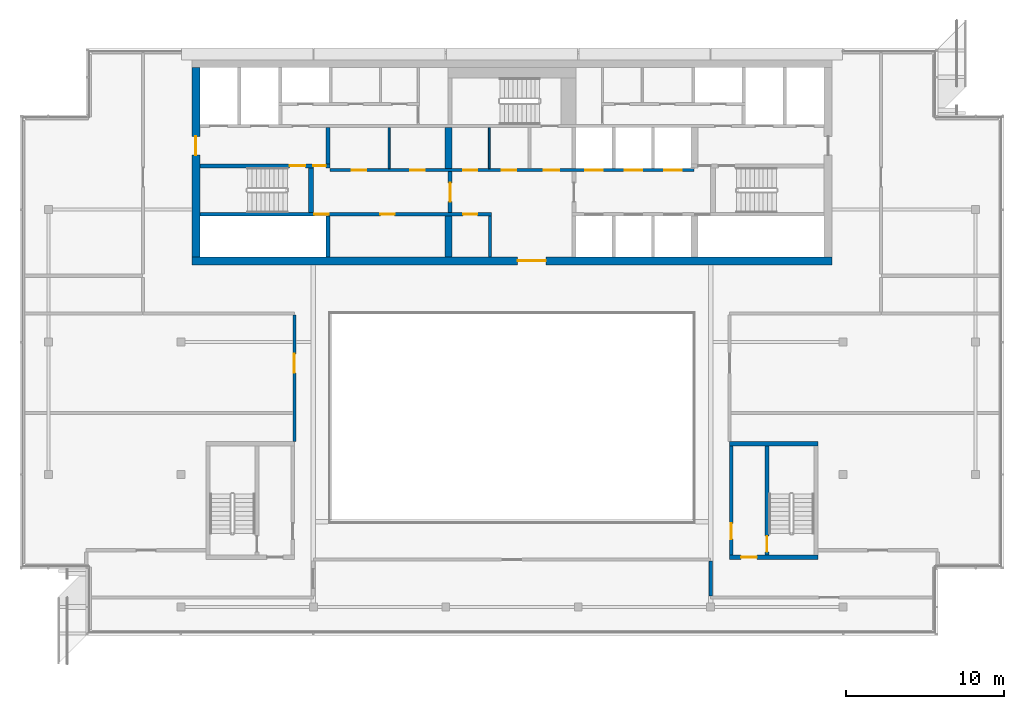
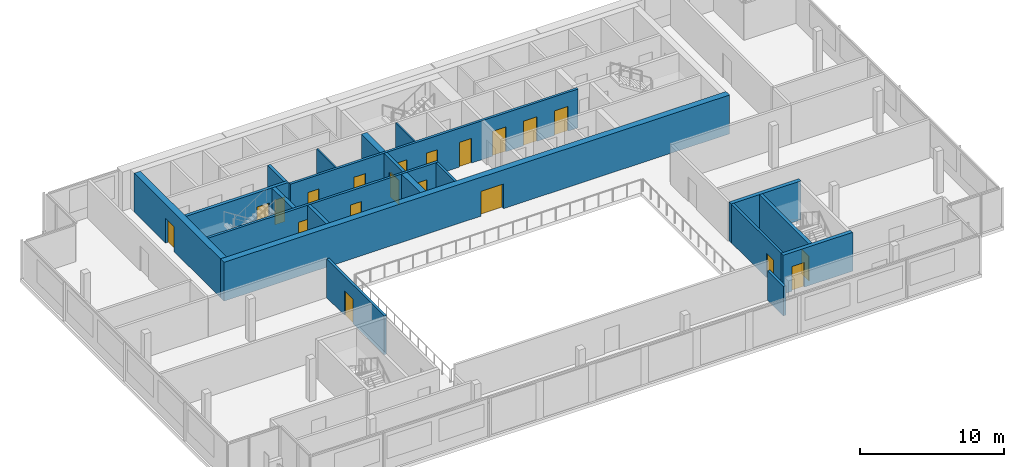
# One storey, part 12 of 19: 20 doors, 20 walls, 20 openings.
"""IFC4 building model written with IfcOpenShell, lengths in metres."""

from ifc_helpers import new_model, si_unit, direction, frame, frame_2d, origin, place, context, subcontext, project, spatial, rectangle, extrude, material, layer, layer_set, type_object, element, fill, save


model = new_model("IFC4")

# Units and contexts
model_context = context("Model", 3, precision=1e-05, world=origin(), true_north=direction((0.0, 1.0)))
body_context = subcontext(model_context, "Body", "Model", "MODEL_VIEW")
ifc_project = project(units=[si_unit("LENGTHUNIT", "METRE"), si_unit("AREAUNIT", "SQUARE_METRE"), si_unit("VOLUMEUNIT", "CUBIC_METRE"), si_unit("PLANEANGLEUNIT", "RADIAN"), si_unit("MASSUNIT", "GRAM", prefix="KILO")], contexts=[model_context])

# Site, building, storey
site_placement = place(None, origin())
site = spatial("IfcSite", under=ifc_project, at=site_placement, CompositionType="ELEMENT")
building_placement = place(site_placement, origin())
building = spatial("IfcBuilding", under=site, at=building_placement, Name="Saffron Gate Tower", CompositionType="ELEMENT")
storey_placement = place(building_placement, frame((0.0, 0.0, 306.75)))
storey = spatial("IfcBuildingStorey", under=building, at=storey_placement, Name="L75", CompositionType="ELEMENT", Elevation=306.75)

# Wall
ifc_material_1 = material(Name="Gypsum board partition on steel studs", Category="steel")
ifc_layer_1 = layer(ifc_material_1, 0.199951171875)
ifc_layer_set_1 = layer_set([ifc_layer_1], Name="CW10 Core partition 200")
wall_type_1 = type_object("IfcWallType", Name="CW10 Core partition 200", PredefinedType="PARTITIONING", material=ifc_layer_set_1)
wall_1_placement = place(storey_placement, frame((86.199951171875, 62.39990234375, 0.0), z_axis=(0.0, 0.0, 1.0), x_axis=(0.0, 1.0, 0.0)))
element("IfcWall", 1, at=wall_1_placement, inside=storey, type_object=wall_type_1, Name="Wall CW10-L75-7", PredefinedType="PARTITIONING", context=body_context, shape_type="SweptSolid", body=[
    extrude(rectangle(XDim=2.60009765625, YDim=0.199951171875, at=frame_2d((1.300048828125, 0.0))), origin(), (0.0, 0.0, 1.0), 3.300048828125),
])

# Wall, opening, door
wall_2_placement = place(storey_placement, frame((101.5, 43.5, 0.0), z_axis=(0.0, 0.0, 1.0), x_axis=(0.0, 1.0, 0.0)))
wall_2 = element("IfcWall", 2, at=wall_2_placement, inside=storey, type_object=wall_type_1, Name="Wall CW10-L75-E-2", PredefinedType="PARTITIONING", context=body_context, shape_type="SweptSolid", body=[
    extrude(rectangle(XDim=6.89990234375, YDim=0.199951171875, at=frame_2d((3.449951171875, 0.0))), origin(), (0.0, 0.0, 1.0), 3.300048828125),
])
opening_1_placement = place(wall_2_placement, frame((1.0, 0.0, 0.0)))
opening_1 = element("IfcOpeningElement", 3, at=opening_1_placement, cuts=wall_2, Name="Opening CR-22", PredefinedType="OPENING", context=body_context, shape_type="SweptSolid", body=[
    extrude(rectangle(XDim=1.0, YDim=2.10009765625, at=frame_2d((0.5, 1.050048828125))), frame((0.0, 0.10986328125, 0.0), z_axis=(0.0, -1.0, 0.0), x_axis=(1.0, 0.0, 0.0)), (0.0, 0.0, 1.0), 0.219970703125),
])
ifc_material_2 = material(Name="Steel fire door set", Category="steel")
door_type_1 = type_object("IfcDoorType", Name="CD4 Lobby door 1000x2100 EI 120", OperationType="NOTDEFINED", PredefinedType="DOOR", material=ifc_material_2)
door_1_placement = place(opening_1_placement, origin())
door_1 = element("IfcDoor", 4, at=door_1_placement, inside=storey, type_object=door_type_1, Name="DOOR CR-22", OperationType="SINGLE_SWING_LEFT", OverallHeight=2.10009765625, OverallWidth=1.0, PredefinedType="DOOR", context=body_context, shape_type="SweptSolid", body=[
    extrude(rectangle(XDim=1.0, YDim=2.10009765625, at=frame_2d((0.5, 1.050048828125))), frame((0.0, 0.02490234375, 0.0), z_axis=(0.0, -1.0, 0.0), x_axis=(1.0, 0.0, 0.0)), (0.0, 0.0, 1.0), 0.050048828125),
])
fill(opening_1, door_1)

ifc_material_3 = material(Name="Concrete C50", Category="concrete")
ifc_layer_2 = layer(ifc_material_3, 0.5)
ifc_layer_set_2 = layer_set([ifc_layer_2], Name="CW22 RC core wall 500 C50")
wall_type_2 = type_object("IfcWallType", Name="CW22 RC core wall 500 C50", PredefinedType="SOLIDWALL", material=ifc_layer_set_2)
wall_3_placement = place(storey_placement, frame((67.300048828125, 62.14990234375, 0.0), z_axis=(0.0, 0.0, 1.0), x_axis=(1.0, 0.0, 0.0)))
wall_3 = element("IfcWall", 5, at=wall_3_placement, inside=storey, type_object=wall_type_2, Name="Wall CW22-L75-1", PredefinedType="SOLIDWALL", context=body_context, shape_type="SweptSolid", body=[
    extrude(rectangle(XDim=40.599853515625, YDim=0.5, at=frame_2d((20.2998046875, 0.0))), origin(), (0.0, 0.0, 1.0), 3.300048828125),
])
opening_2_placement = place(wall_3_placement, frame((20.64990234375, 0.0, 0.0)))
opening_2 = element("IfcOpeningElement", 6, at=opening_2_placement, cuts=wall_3, Name="Opening CR-09", PredefinedType="OPENING", context=body_context, shape_type="SweptSolid", body=[
    extrude(rectangle(XDim=1.800048828125, YDim=2.10009765625, at=frame_2d((0.89990234375, 1.050048828125))), frame((0.0, 0.260009765625, 0.0), z_axis=(0.0, -1.0, 0.0), x_axis=(1.0, 0.0, 0.0)), (0.0, 0.0, 1.0), 0.52001953125),
])
door_type_2 = type_object("IfcDoorType", Name="CD1 Core entrance door 1800x2100 EI 120", OperationType="NOTDEFINED", PredefinedType="DOOR", material=ifc_material_2)
door_2_placement = place(opening_2_placement, origin())
door_2 = element("IfcDoor", 7, at=door_2_placement, inside=storey, type_object=door_type_2, Name="DOOR CR-09", OperationType="DOUBLE_DOOR_SINGLE_SWING", OverallHeight=2.10009765625, OverallWidth=1.800048828125, PredefinedType="DOOR", context=body_context, shape_type="SweptSolid", body=[
    extrude(rectangle(XDim=1.800048828125, YDim=2.10009765625, at=frame_2d((0.89990234375, 1.050048828125))), frame((0.0, 0.02490234375, 0.0), z_axis=(0.0, -1.0, 0.0), x_axis=(1.0, 0.0, 0.0)), (0.0, 0.0, 1.0), 0.050048828125),
])
fill(opening_2, door_2)

wall_4_placement = place(storey_placement, frame((67.550048828125, 62.39990234375, 0.0), z_axis=(0.0, 0.0, 1.0), x_axis=(0.0, 1.0, 0.0)))
wall_4 = element("IfcWall", 8, at=wall_4_placement, inside=storey, type_object=wall_type_2, Name="Wall CW22-L75-3", PredefinedType="SOLIDWALL", context=body_context, shape_type="SweptSolid", body=[
    extrude(rectangle(XDim=12.0, YDim=0.5, at=frame_2d((6.0, 0.0))), origin(), (0.0, 0.0, 1.0), 3.300048828125),
])
opening_3_placement = place(wall_4_placement, frame((6.449951171875, 0.0, 0.0)))
opening_3 = element("IfcOpeningElement", 9, at=opening_3_placement, cuts=wall_4, Name="Opening CR-10", PredefinedType="OPENING", context=body_context, shape_type="SweptSolid", body=[
    extrude(rectangle(XDim=1.199951171875, YDim=2.10009765625, at=frame_2d((0.60009765625, 1.050048828125))), frame((0.0, 0.260009765625, 0.0), z_axis=(0.0, -1.0, 0.0), x_axis=(1.0, 0.0, 0.0)), (0.0, 0.0, 1.0), 0.52001953125),
])
door_type_3 = type_object("IfcDoorType", Name="CD7 Core entrance door 1200x2100 EI 120", OperationType="NOTDEFINED", PredefinedType="DOOR", material=ifc_material_2)
door_3_placement = place(opening_3_placement, origin())
door_3 = element("IfcDoor", 10, at=door_3_placement, inside=storey, type_object=door_type_3, Name="DOOR CR-10", OperationType="SINGLE_SWING_LEFT", OverallHeight=2.10009765625, OverallWidth=1.199951171875, PredefinedType="DOOR", context=body_context, shape_type="SweptSolid", body=[
    extrude(rectangle(XDim=1.199951171875, YDim=2.10009765625, at=frame_2d((0.60009765625, 1.050048828125))), frame((0.0, 0.02490234375, 0.0), z_axis=(0.0, -1.0, 0.0), x_axis=(1.0, 0.0, 0.0)), (0.0, 0.0, 1.0), 0.050048828125),
])
fill(opening_3, door_3)

# Wall
ifc_layer_3 = layer(ifc_material_3, 0.25)
ifc_layer_set_3 = layer_set([ifc_layer_3], Name="CW23 RC core wall 250 C50")
wall_type_3 = type_object("IfcWallType", Name="CW23 RC core wall 250 C50", PredefinedType="SOLIDWALL", material=ifc_layer_set_3)
wall_5_placement = place(storey_placement, frame((75.925048828125, 62.39990234375, 0.0), z_axis=(0.0, 0.0, 1.0), x_axis=(0.0, 1.0, 0.0)))
element("IfcWall", 11, at=wall_5_placement, inside=storey, type_object=wall_type_3, Name="Wall CW23-L75-5", PredefinedType="SOLIDWALL", context=body_context, shape_type="SweptSolid", body=[
    extrude(rectangle(XDim=2.60009765625, YDim=0.25, at=frame_2d((1.300048828125, 0.0))), origin(), (0.0, 0.0, 1.0), 3.300048828125),
])

# Wall, opening, door
wall_6_placement = place(storey_placement, frame((83.675048828125, 65.199951171875, 0.0), z_axis=(0.0, 0.0, 1.0), x_axis=(0.0, 1.0, 0.0)))
wall_6 = element("IfcWall", 12, at=wall_6_placement, inside=storey, type_object=wall_type_3, Name="Wall CW23-L75-15", PredefinedType="SOLIDWALL", context=body_context, shape_type="SweptSolid", body=[
    extrude(rectangle(XDim=2.60009765625, YDim=0.25, at=frame_2d((1.300048828125, 0.0))), origin(), (0.0, 0.0, 1.0), 3.300048828125),
])
opening_4_placement = place(wall_6_placement, frame((0.699951171875, 0.0, 0.0)))
opening_4 = element("IfcOpeningElement", 13, at=opening_4_placement, cuts=wall_6, Name="Opening CR-07", PredefinedType="OPENING", context=body_context, shape_type="SweptSolid", body=[
    extrude(rectangle(XDim=1.199951171875, YDim=2.10009765625, at=frame_2d((0.60009765625, 1.050048828125))), frame((0.0, 0.135009765625, 0.0), z_axis=(0.0, -1.0, 0.0), x_axis=(1.0, 0.0, 0.0)), (0.0, 0.0, 1.0), 0.27001953125),
])
door_type_4 = type_object("IfcDoorType", Name="CD3 Lobby door 1200x2100 EI 120", OperationType="NOTDEFINED", PredefinedType="DOOR", material=ifc_material_2)
door_4_placement = place(opening_4_placement, origin())
door_4 = element("IfcDoor", 14, at=door_4_placement, inside=storey, type_object=door_type_4, Name="DOOR CR-07", OperationType="SINGLE_SWING_RIGHT", OverallHeight=2.10009765625, OverallWidth=1.199951171875, PredefinedType="DOOR", context=body_context, shape_type="SweptSolid", body=[
    extrude(rectangle(XDim=1.199951171875, YDim=2.10009765625, at=frame_2d((0.60009765625, 1.050048828125))), frame((0.0, 0.02490234375, 0.0), z_axis=(0.0, -1.0, 0.0), x_axis=(1.0, 0.0, 0.0)), (0.0, 0.0, 1.0), 0.050048828125),
])
fill(opening_4, door_4)

# Wall, openings, doors
wall_7_placement = place(storey_placement, frame((67.800048828125, 68.175048828125, 0.0), z_axis=(0.0, 0.0, 1.0), x_axis=(1.0, 0.0, 0.0)))
wall_7 = element("IfcWall", 15, at=wall_7_placement, inside=storey, type_object=wall_type_3, Name="Wall CW23-L75-27", PredefinedType="SOLIDWALL", context=body_context, shape_type="SweptSolid", body=[
    extrude(rectangle(XDim=8.25, YDim=0.25, at=frame_2d((4.125, 0.0))), origin(), (0.0, 0.0, 1.0), 3.300048828125),
])
opening_5_placement = place(wall_7_placement, frame((5.699951171875, 0.0, 0.0)))
opening_5 = element("IfcOpeningElement", 16, at=opening_5_placement, cuts=wall_7, Name="Opening CR-15", PredefinedType="OPENING", context=body_context, shape_type="SweptSolid", body=[
    extrude(rectangle(XDim=1.0, YDim=2.10009765625, at=frame_2d((0.5, 1.050048828125))), frame((0.0, 0.135009765625, 0.0), z_axis=(0.0, -1.0, 0.0), x_axis=(1.0, 0.0, 0.0)), (0.0, 0.0, 1.0), 0.27001953125),
])
opening_6_placement = place(wall_7_placement, frame((7.199951171875, 0.0, 0.0)))
opening_6 = element("IfcOpeningElement", 17, at=opening_6_placement, cuts=wall_7, Name="Opening CR-06", PredefinedType="OPENING", context=body_context, shape_type="SweptSolid", body=[
    extrude(rectangle(XDim=0.800048828125, YDim=2.10009765625, at=frame_2d((0.39990234375, 1.050048828125))), frame((0.0, 0.135009765625, 0.0), z_axis=(0.0, -1.0, 0.0), x_axis=(1.0, 0.0, 0.0)), (0.0, 0.0, 1.0), 0.27001953125),
])
door_type_5 = type_object("IfcDoorType", Name="CD5 Stair door 1000x2100 EI 120", OperationType="NOTDEFINED", PredefinedType="DOOR", material=ifc_material_2)
door_5_placement = place(opening_5_placement, origin())
door_5 = element("IfcDoor", 18, at=door_5_placement, inside=storey, type_object=door_type_5, Name="DOOR CR-15", OperationType="SINGLE_SWING_RIGHT", OverallHeight=2.10009765625, OverallWidth=1.0, PredefinedType="DOOR", context=body_context, shape_type="SweptSolid", body=[
    extrude(rectangle(XDim=1.0, YDim=2.10009765625, at=frame_2d((0.5, 1.050048828125))), frame((0.0, 0.02490234375, 0.0), z_axis=(0.0, -1.0, 0.0), x_axis=(1.0, 0.0, 0.0)), (0.0, 0.0, 1.0), 0.050048828125),
])
fill(opening_5, door_5)
door_type_6 = type_object("IfcDoorType", Name="CD6 Lobby door 800x2100 EI 120", OperationType="NOTDEFINED", PredefinedType="DOOR", material=ifc_material_2)
door_6_placement = place(opening_6_placement, origin())
door_6 = element("IfcDoor", 19, at=door_6_placement, inside=storey, type_object=door_type_6, Name="DOOR CR-06", OperationType="SINGLE_SWING_LEFT", OverallHeight=2.10009765625, OverallWidth=0.800048828125, PredefinedType="DOOR", context=body_context, shape_type="SweptSolid", body=[
    extrude(rectangle(XDim=0.800048828125, YDim=2.10009765625, at=frame_2d((0.39990234375, 1.050048828125))), frame((0.0, 0.02490234375, 0.0), z_axis=(0.0, -1.0, 0.0), x_axis=(1.0, 0.0, 0.0)), (0.0, 0.0, 1.0), 0.050048828125),
])
fill(opening_6, door_6)

# Wall
wall_8_placement = place(storey_placement, frame((75.925048828125, 68.300048828125, 0.0), z_axis=(0.0, 0.0, 1.0), x_axis=(0.0, 1.0, 0.0)))
element("IfcWall", 20, at=wall_8_placement, inside=storey, type_object=wall_type_3, Name="Wall CW23-L75-29", PredefinedType="SOLIDWALL", context=body_context, shape_type="SweptSolid", body=[
    extrude(rectangle(XDim=2.300048828125, YDim=0.25, at=frame_2d((1.14990234375, 0.0))), origin(), (0.0, 0.0, 1.0), 3.300048828125),
])

# Wall, opening, door
wall_9_placement = place(storey_placement, frame((103.77490234375, 43.5, 0.0), z_axis=(0.0, 0.0, 1.0), x_axis=(0.0, 1.0, 0.0)))
wall_9 = element("IfcWall", 21, at=wall_9_placement, inside=storey, type_object=wall_type_3, Name="Wall CW23-L75-E-3", PredefinedType="SOLIDWALL", context=body_context, shape_type="SweptSolid", body=[
    extrude(rectangle(XDim=6.89990234375, YDim=0.25, at=frame_2d((3.449951171875, 0.0))), origin(), (0.0, 0.0, 1.0), 3.300048828125),
])
opening_7_placement = place(wall_9_placement, frame((0.199951171875, 0.0, 0.0)))
opening_7 = element("IfcOpeningElement", 22, at=opening_7_placement, cuts=wall_9, Name="Opening CR-23", PredefinedType="OPENING", context=body_context, shape_type="SweptSolid", body=[
    extrude(rectangle(XDim=1.0, YDim=2.10009765625, at=frame_2d((0.5, 1.050048828125))), frame((0.0, 0.135009765625, 0.0), z_axis=(0.0, -1.0, 0.0), x_axis=(1.0, 0.0, 0.0)), (0.0, 0.0, 1.0), 0.27001953125),
])
door_7_placement = place(opening_7_placement, origin())
door_7 = element("IfcDoor", 23, at=door_7_placement, inside=storey, type_object=door_type_5, Name="DOOR CR-23", OperationType="SINGLE_SWING_RIGHT", OverallHeight=2.10009765625, OverallWidth=1.0, PredefinedType="DOOR", context=body_context, shape_type="SweptSolid", body=[
    extrude(rectangle(XDim=1.0, YDim=2.10009765625, at=frame_2d((0.5, 1.050048828125))), frame((0.0, 0.02490234375, 0.0), z_axis=(0.0, -1.0, 0.0), x_axis=(1.0, 0.0, 0.0)), (0.0, 0.0, 1.0), 0.050048828125),
])
fill(opening_7, door_7)

# Walls
ifc_layer_4 = layer(ifc_material_3, 0.449951171875)
ifc_layer_set_4 = layer_set([ifc_layer_4], Name="CW24 RC core wall 450 C50")
wall_type_4 = type_object("IfcWallType", Name="CW24 RC core wall 450 C50", PredefinedType="SOLIDWALL", material=ifc_layer_set_4)
for number, where, z_axis, x_axis, name in (
    (24, (83.574951171875, 62.39990234375, 0.0), (0.0, 0.0, 1.0), (0.0, 1.0, 0.0), "Wall CW24-L75-6"),
    (25, (83.574951171875, 68.0, 0.0), (0.0, 0.0, 1.0), (0.0, 1.0, 0.0), "Wall CW24-L75-20"),
):
    element("IfcWall", number, at=place(storey_placement, frame(where, z_axis=z_axis, x_axis=x_axis)), inside=storey, type_object=wall_type_4, Name=name, PredefinedType="SOLIDWALL", context=body_context, shape_type="SweptSolid", body=[
        extrude(rectangle(XDim=2.60009765625, YDim=0.449951171875, at=frame_2d((1.300048828125, 0.0))), origin(), (0.0, 0.0, 1.0), 3.300048828125),
    ])

# Wall, openings, doors
ifc_layer_5 = layer(ifc_material_3, 0.199951171875)
ifc_layer_set_5 = layer_set([ifc_layer_5], Name="CW25 RC core wall 200 C50")
wall_type_5 = type_object("IfcWallType", Name="CW25 RC core wall 200 C50", PredefinedType="SOLIDWALL", material=ifc_layer_set_5)
wall_10_placement = place(storey_placement, frame((67.800048828125, 65.10009765625, 0.0), z_axis=(0.0, 0.0, 1.0), x_axis=(1.0, 0.0, 0.0)))
wall_10 = element("IfcWall", 26, at=wall_10_placement, inside=storey, type_object=wall_type_5, Name="Wall CW25-L75-12", PredefinedType="SOLIDWALL", context=body_context, shape_type="SweptSolid", body=[
    extrude(rectangle(XDim=18.5, YDim=0.199951171875, at=frame_2d((9.25, 0.0))), origin(), (0.0, 0.0, 1.0), 3.300048828125),
])
opening_8_placement = place(wall_10_placement, frame((7.27001953125, 0.0, 0.0)))
opening_8 = element("IfcOpeningElement", 27, at=opening_8_placement, cuts=wall_10, Name="Opening CR-49", PredefinedType="OPENING", context=body_context, shape_type="SweptSolid", body=[
    extrude(rectangle(XDim=0.89990234375, YDim=2.10009765625, at=frame_2d((0.449951171875, 1.050048828125))), frame((0.0, 0.10986328125, 0.0), z_axis=(0.0, -1.0, 0.0), x_axis=(1.0, 0.0, 0.0)), (0.0, 0.0, 1.0), 0.219970703125),
])
opening_9_placement = place(wall_10_placement, frame((11.449951171875, 0.0, 0.0)))
opening_9 = element("IfcOpeningElement", 28, at=opening_9_placement, cuts=wall_10, Name="Opening CR-64", PredefinedType="OPENING", context=body_context, shape_type="SweptSolid", body=[
    extrude(rectangle(XDim=0.89990234375, YDim=2.10009765625, at=frame_2d((0.449951171875, 1.050048828125))), frame((0.0, 0.10986328125, 0.0), z_axis=(0.0, -1.0, 0.0), x_axis=(1.0, 0.0, 0.0)), (0.0, 0.0, 1.0), 0.219970703125),
])
opening_10_placement = place(wall_10_placement, frame((16.699951171875, 0.0, 0.0)))
opening_10 = element("IfcOpeningElement", 29, at=opening_10_placement, cuts=wall_10, Name="Opening CR-69", PredefinedType="OPENING", context=body_context, shape_type="SweptSolid", body=[
    extrude(rectangle(XDim=0.89990234375, YDim=2.10009765625, at=frame_2d((0.449951171875, 1.050048828125))), frame((0.0, 0.10986328125, 0.0), z_axis=(0.0, -1.0, 0.0), x_axis=(1.0, 0.0, 0.0)), (0.0, 0.0, 1.0), 0.219970703125),
])
door_type_7 = type_object("IfcDoorType", Name="CD2 Riser door 900x2100 EI 60", OperationType="NOTDEFINED", PredefinedType="DOOR", material=ifc_material_2)
door_8_placement = place(opening_8_placement, origin())
door_8 = element("IfcDoor", 30, at=door_8_placement, inside=storey, type_object=door_type_7, Name="DOOR CR-49", OperationType="SINGLE_SWING_LEFT", OverallHeight=2.10009765625, OverallWidth=0.89990234375, PredefinedType="DOOR", context=body_context, shape_type="SweptSolid", body=[
    extrude(rectangle(XDim=0.89990234375, YDim=2.10009765625, at=frame_2d((0.449951171875, 1.050048828125))), frame((0.0, 0.02490234375, 0.0), z_axis=(0.0, -1.0, 0.0), x_axis=(1.0, 0.0, 0.0)), (0.0, 0.0, 1.0), 0.050048828125),
])
fill(opening_8, door_8)
door_type_8 = type_object("IfcDoorType", Name="CD9 Room door 900x2100 EI 60", OperationType="NOTDEFINED", PredefinedType="DOOR", material=ifc_material_2)
door_9_placement = place(opening_9_placement, origin())
door_9 = element("IfcDoor", 31, at=door_9_placement, inside=storey, type_object=door_type_8, Name="DOOR CR-64", OperationType="SINGLE_SWING_RIGHT", OverallHeight=2.10009765625, OverallWidth=0.89990234375, PredefinedType="DOOR", context=body_context, shape_type="SweptSolid", body=[
    extrude(rectangle(XDim=0.89990234375, YDim=2.10009765625, at=frame_2d((0.449951171875, 1.050048828125))), frame((0.0, 0.02490234375, 0.0), z_axis=(0.0, -1.0, 0.0), x_axis=(1.0, 0.0, 0.0)), (0.0, 0.0, 1.0), 0.050048828125),
])
fill(opening_9, door_9)
door_10_placement = place(opening_10_placement, origin())
door_10 = element("IfcDoor", 32, at=door_10_placement, inside=storey, type_object=door_type_8, Name="DOOR CR-69", OperationType="SINGLE_SWING_RIGHT", OverallHeight=2.10009765625, OverallWidth=0.89990234375, PredefinedType="DOOR", context=body_context, shape_type="SweptSolid", body=[
    extrude(rectangle(XDim=0.89990234375, YDim=2.10009765625, at=frame_2d((0.449951171875, 1.050048828125))), frame((0.0, 0.02490234375, 0.0), z_axis=(0.0, -1.0, 0.0), x_axis=(1.0, 0.0, 0.0)), (0.0, 0.0, 1.0), 0.050048828125),
])
fill(opening_10, door_10)

wall_11_placement = place(storey_placement, frame((76.050048828125, 67.89990234375, 0.0), z_axis=(0.0, 0.0, 1.0), x_axis=(1.0, 0.0, 0.0)))
wall_11 = element("IfcWall", 33, at=wall_11_placement, inside=storey, type_object=wall_type_5, Name="Wall CW25-L75-18", PredefinedType="SOLIDWALL", context=body_context, shape_type="SweptSolid", body=[
    extrude(rectangle(XDim=23.099853515625, YDim=0.199951171875, at=frame_2d((11.5498046875, 0.0))), origin(), (0.0, 0.0, 1.0), 3.300048828125),
])
opening_11_placement = place(wall_11_placement, frame((1.39990234375, 0.0, 0.0)))
opening_11 = element("IfcOpeningElement", 34, at=opening_11_placement, cuts=wall_11, Name="Opening CR-61", PredefinedType="OPENING", context=body_context, shape_type="SweptSolid", body=[
    extrude(rectangle(XDim=0.89990234375, YDim=2.10009765625, at=frame_2d((0.449951171875, 1.050048828125))), frame((0.0, 0.10986328125, 0.0), z_axis=(0.0, -1.0, 0.0), x_axis=(1.0, 0.0, 0.0)), (0.0, 0.0, 1.0), 0.219970703125),
])
opening_12_placement = place(wall_11_placement, frame((5.110107421875, 0.0, 0.0)))
opening_12 = element("IfcOpeningElement", 35, at=opening_12_placement, cuts=wall_11, Name="Opening CR-62", PredefinedType="OPENING", context=body_context, shape_type="SweptSolid", body=[
    extrude(rectangle(XDim=0.89990234375, YDim=2.10009765625, at=frame_2d((0.449951171875, 1.050048828125))), frame((0.0, 0.10986328125, 0.0), z_axis=(0.0, -1.0, 0.0), x_axis=(1.0, 0.0, 0.0)), (0.0, 0.0, 1.0), 0.219970703125),
])
opening_13_placement = place(wall_11_placement, frame((8.449951171875, 0.0, 0.0)))
opening_13 = element("IfcOpeningElement", 36, at=opening_13_placement, cuts=wall_11, Name="Opening CR-67", PredefinedType="OPENING", context=body_context, shape_type="SweptSolid", body=[
    extrude(rectangle(XDim=0.89990234375, YDim=2.10009765625, at=frame_2d((0.449951171875, 1.050048828125))), frame((0.0, 0.10986328125, 0.0), z_axis=(0.0, -1.0, 0.0), x_axis=(1.0, 0.0, 0.0)), (0.0, 0.0, 1.0), 0.219970703125),
])
opening_14_placement = place(wall_11_placement, frame((10.909912109375, 0.0, 0.0)))
opening_14 = element("IfcOpeningElement", 37, at=opening_14_placement, cuts=wall_11, Name="Opening CR-68", PredefinedType="OPENING", context=body_context, shape_type="SweptSolid", body=[
    extrude(rectangle(XDim=0.89990234375, YDim=2.10009765625, at=frame_2d((0.449951171875, 1.050048828125))), frame((0.0, 0.10986328125, 0.0), z_axis=(0.0, -1.0, 0.0), x_axis=(1.0, 0.0, 0.0)), (0.0, 0.0, 1.0), 0.219970703125),
])
opening_15_placement = place(wall_11_placement, frame((13.550048828125, 0.0, 0.0)))
opening_15 = element("IfcOpeningElement", 38, at=opening_15_placement, cuts=wall_11, Name="Opening CR-02", PredefinedType="OPENING", context=body_context, shape_type="SweptSolid", body=[
    extrude(rectangle(XDim=1.0, YDim=2.10009765625, at=frame_2d((0.5, 1.050048828125))), frame((0.0, 0.10986328125, 0.0), z_axis=(0.0, -1.0, 0.0), x_axis=(1.0, 0.0, 0.0)), (0.0, 0.0, 1.0), 0.219970703125),
])
opening_16_placement = place(wall_11_placement, frame((16.199951171875, 0.0, 0.0)))
opening_16 = element("IfcOpeningElement", 39, at=opening_16_placement, cuts=wall_11, Name="Opening LD-HR4", PredefinedType="OPENING", context=body_context, shape_type="SweptSolid", body=[
    extrude(rectangle(XDim=1.10009765625, YDim=2.10009765625, at=frame_2d((0.550048828125, 1.050048828125))), frame((0.0, 0.10986328125, 0.0), z_axis=(0.0, -1.0, 0.0), x_axis=(1.0, 0.0, 0.0)), (0.0, 0.0, 1.0), 0.219970703125),
])
opening_17_placement = place(wall_11_placement, frame((18.699951171875, 0.0, 0.0)))
opening_17 = element("IfcOpeningElement", 40, at=opening_17_placement, cuts=wall_11, Name="Opening LD-HR5", PredefinedType="OPENING", context=body_context, shape_type="SweptSolid", body=[
    extrude(rectangle(XDim=1.10009765625, YDim=2.10009765625, at=frame_2d((0.550048828125, 1.050048828125))), frame((0.0, 0.10986328125, 0.0), z_axis=(0.0, -1.0, 0.0), x_axis=(1.0, 0.0, 0.0)), (0.0, 0.0, 1.0), 0.219970703125),
])
opening_18_placement = place(wall_11_placement, frame((21.199951171875, 0.0, 0.0)))
opening_18 = element("IfcOpeningElement", 41, at=opening_18_placement, cuts=wall_11, Name="Opening LD-HR6", PredefinedType="OPENING", context=body_context, shape_type="SweptSolid", body=[
    extrude(rectangle(XDim=1.10009765625, YDim=2.10009765625, at=frame_2d((0.550048828125, 1.050048828125))), frame((0.0, 0.10986328125, 0.0), z_axis=(0.0, -1.0, 0.0), x_axis=(1.0, 0.0, 0.0)), (0.0, 0.0, 1.0), 0.219970703125),
])
door_11_placement = place(opening_15_placement, origin())
door_11 = element("IfcDoor", 42, at=door_11_placement, inside=storey, type_object=door_type_1, Name="DOOR CR-02", OperationType="SINGLE_SWING_LEFT", OverallHeight=2.10009765625, OverallWidth=1.0, PredefinedType="DOOR", context=body_context, shape_type="SweptSolid", body=[
    extrude(rectangle(XDim=1.0, YDim=2.10009765625, at=frame_2d((0.5, 1.050048828125))), frame((0.0, 0.02490234375, 0.0), z_axis=(0.0, -1.0, 0.0), x_axis=(1.0, 0.0, 0.0)), (0.0, 0.0, 1.0), 0.050048828125),
])
fill(opening_15, door_11)
door_12_placement = place(opening_11_placement, origin())
door_12 = element("IfcDoor", 43, at=door_12_placement, inside=storey, type_object=door_type_8, Name="DOOR CR-61", OperationType="SINGLE_SWING_LEFT", OverallHeight=2.10009765625, OverallWidth=0.89990234375, PredefinedType="DOOR", context=body_context, shape_type="SweptSolid", body=[
    extrude(rectangle(XDim=0.89990234375, YDim=2.10009765625, at=frame_2d((0.449951171875, 1.050048828125))), frame((0.0, 0.02490234375, 0.0), z_axis=(0.0, -1.0, 0.0), x_axis=(1.0, 0.0, 0.0)), (0.0, 0.0, 1.0), 0.050048828125),
])
fill(opening_11, door_12)
door_13_placement = place(opening_12_placement, origin())
door_13 = element("IfcDoor", 44, at=door_13_placement, inside=storey, type_object=door_type_8, Name="DOOR CR-62", OperationType="SINGLE_SWING_LEFT", OverallHeight=2.10009765625, OverallWidth=0.89990234375, PredefinedType="DOOR", context=body_context, shape_type="SweptSolid", body=[
    extrude(rectangle(XDim=0.89990234375, YDim=2.10009765625, at=frame_2d((0.449951171875, 1.050048828125))), frame((0.0, 0.02490234375, 0.0), z_axis=(0.0, -1.0, 0.0), x_axis=(1.0, 0.0, 0.0)), (0.0, 0.0, 1.0), 0.050048828125),
])
fill(opening_12, door_13)
door_14_placement = place(opening_13_placement, origin())
door_14 = element("IfcDoor", 45, at=door_14_placement, inside=storey, type_object=door_type_8, Name="DOOR CR-67", OperationType="SINGLE_SWING_LEFT", OverallHeight=2.10009765625, OverallWidth=0.89990234375, PredefinedType="DOOR", context=body_context, shape_type="SweptSolid", body=[
    extrude(rectangle(XDim=0.89990234375, YDim=2.10009765625, at=frame_2d((0.449951171875, 1.050048828125))), frame((0.0, 0.02490234375, 0.0), z_axis=(0.0, -1.0, 0.0), x_axis=(1.0, 0.0, 0.0)), (0.0, 0.0, 1.0), 0.050048828125),
])
fill(opening_13, door_14)
door_15_placement = place(opening_14_placement, origin())
door_15 = element("IfcDoor", 46, at=door_15_placement, inside=storey, type_object=door_type_8, Name="DOOR CR-68", OperationType="SINGLE_SWING_LEFT", OverallHeight=2.10009765625, OverallWidth=0.89990234375, PredefinedType="DOOR", context=body_context, shape_type="SweptSolid", body=[
    extrude(rectangle(XDim=0.89990234375, YDim=2.10009765625, at=frame_2d((0.449951171875, 1.050048828125))), frame((0.0, 0.02490234375, 0.0), z_axis=(0.0, -1.0, 0.0), x_axis=(1.0, 0.0, 0.0)), (0.0, 0.0, 1.0), 0.050048828125),
])
fill(opening_14, door_15)
ifc_material_4 = material(Name="Stainless steel landing door", Category="steel")
door_type_9 = type_object("IfcDoorType", Name="LD Lift landing door 1100x2100 EI 120", OperationType="SLIDING_TO_LEFT", PredefinedType="DOOR", material=ifc_material_4)
door_16_placement = place(opening_16_placement, origin())
door_16 = element("IfcDoor", 47, at=door_16_placement, inside=storey, type_object=door_type_9, Name="LANDING DOOR LD-HR4", OperationType="SLIDING_TO_RIGHT", OverallHeight=2.10009765625, OverallWidth=1.10009765625, PredefinedType="DOOR", context=body_context, shape_type="SweptSolid", body=[
    extrude(rectangle(XDim=1.10009765625, YDim=2.10009765625, at=frame_2d((0.550048828125, 1.050048828125))), frame((0.0, 0.02490234375, 0.0), z_axis=(0.0, -1.0, 0.0), x_axis=(1.0, 0.0, 0.0)), (0.0, 0.0, 1.0), 0.050048828125),
])
fill(opening_16, door_16)
door_17_placement = place(opening_17_placement, origin())
door_17 = element("IfcDoor", 48, at=door_17_placement, inside=storey, type_object=door_type_9, Name="LANDING DOOR LD-HR5", OperationType="SLIDING_TO_RIGHT", OverallHeight=2.10009765625, OverallWidth=1.10009765625, PredefinedType="DOOR", context=body_context, shape_type="SweptSolid", body=[
    extrude(rectangle(XDim=1.10009765625, YDim=2.10009765625, at=frame_2d((0.550048828125, 1.050048828125))), frame((0.0, 0.02490234375, 0.0), z_axis=(0.0, -1.0, 0.0), x_axis=(1.0, 0.0, 0.0)), (0.0, 0.0, 1.0), 0.050048828125),
])
fill(opening_17, door_17)
door_18_placement = place(opening_18_placement, origin())
door_18 = element("IfcDoor", 49, at=door_18_placement, inside=storey, type_object=door_type_9, Name="LANDING DOOR LD-HR6", OperationType="SLIDING_TO_RIGHT", OverallHeight=2.10009765625, OverallWidth=1.10009765625, PredefinedType="DOOR", context=body_context, shape_type="SweptSolid", body=[
    extrude(rectangle(XDim=1.10009765625, YDim=2.10009765625, at=frame_2d((0.550048828125, 1.050048828125))), frame((0.0, 0.02490234375, 0.0), z_axis=(0.0, -1.0, 0.0), x_axis=(1.0, 0.0, 0.0)), (0.0, 0.0, 1.0), 0.050048828125),
])
fill(opening_18, door_18)

# Wall
ifc_layer_6 = layer(ifc_material_3, 0.300048828125)
ifc_layer_set_6 = layer_set([ifc_layer_6], Name="CW26 RC core wall 300 C50")
wall_type_6 = type_object("IfcWallType", Name="CW26 RC core wall 300 C50", PredefinedType="SOLIDWALL", material=ifc_layer_set_6)
wall_12_placement = place(storey_placement, frame((74.85009765625, 65.199951171875, 0.0), z_axis=(0.0, 0.0, 1.0), x_axis=(0.0, 1.0, 0.0)))
element("IfcWall", 50, at=wall_12_placement, inside=storey, type_object=wall_type_6, Name="Wall CW26-L75-14", PredefinedType="SOLIDWALL", context=body_context, shape_type="SweptSolid", body=[
    extrude(rectangle(XDim=2.85009765625, YDim=0.300048828125, at=frame_2d((1.425048828125, 0.0))), origin(), (0.0, 0.0, 1.0), 3.300048828125),
])

# Wall, opening, door
wall_13_placement = place(storey_placement, frame((101.39990234375, 43.35009765625, 0.0), z_axis=(0.0, 0.0, 1.0), x_axis=(1.0, 0.0, 0.0)))
wall_13 = element("IfcWall", 51, at=wall_13_placement, inside=storey, type_object=wall_type_6, Name="Wall CW26-L75-E-1", PredefinedType="SOLIDWALL", context=body_context, shape_type="SweptSolid", body=[
    extrude(rectangle(XDim=5.60009765625, YDim=0.300048828125, at=frame_2d((2.800048828125, 0.0))), origin(), (0.0, 0.0, 1.0), 3.300048828125),
])
opening_19_placement = place(wall_13_placement, frame((0.72509765625, 0.0, 0.0)))
opening_19 = element("IfcOpeningElement", 52, at=opening_19_placement, cuts=wall_13, Name="Opening CR-21", PredefinedType="OPENING", context=body_context, shape_type="SweptSolid", body=[
    extrude(rectangle(XDim=1.0, YDim=2.10009765625, at=frame_2d((0.5, 1.050048828125))), frame((0.0, 0.16015625, 0.0), z_axis=(0.0, -1.0, 0.0), x_axis=(1.0, 0.0, 0.0)), (0.0, 0.0, 1.0), 0.320068359375),
])
door_19_placement = place(opening_19_placement, origin())
door_19 = element("IfcDoor", 53, at=door_19_placement, inside=storey, type_object=door_type_1, Name="DOOR CR-21", OperationType="SINGLE_SWING_RIGHT", OverallHeight=2.10009765625, OverallWidth=1.0, PredefinedType="DOOR", context=body_context, shape_type="SweptSolid", body=[
    extrude(rectangle(XDim=1.0, YDim=2.10009765625, at=frame_2d((0.5, 1.050048828125))), frame((0.0, 0.02490234375, 0.0), z_axis=(0.0, -1.0, 0.0), x_axis=(1.0, 0.0, 0.0)), (0.0, 0.0, 1.0), 0.050048828125),
])
fill(opening_19, door_19)

# Walls
wall_14_placement = place(storey_placement, frame((101.39990234375, 50.550048828125, 0.0), z_axis=(0.0, 0.0, 1.0), x_axis=(1.0, 0.0, 0.0)))
element("IfcWall", 54, at=wall_14_placement, inside=storey, type_object=wall_type_6, Name="Wall CW26-L75-E-5", PredefinedType="SOLIDWALL", context=body_context, shape_type="SweptSolid", body=[
    extrude(rectangle(XDim=5.60009765625, YDim=0.300048828125, at=frame_2d((2.800048828125, 0.0))), origin(), (0.0, 0.0, 1.0), 3.300048828125),
])
ifc_layer_7 = layer(ifc_material_1, 0.1201171875)
ifc_layer_set_7 = layer_set([ifc_layer_7], Name="CW8 Core partition 120")
wall_type_7 = type_object("IfcWallType", Name="CW8 Core partition 120", PredefinedType="PARTITIONING", material=ifc_layer_set_7)
for number, where, z_axis, x_axis, name in (
    (55, (79.81005859375, 68.0, 0.0), (0.0, 0.0, 1.0), (0.0, 1.0, 0.0), "Wall CW8-L75-19"),
    (56, (86.159912109375, 68.0, 0.0), (0.0, 0.0, 1.0), (0.0, 1.0, 0.0), "Wall CW8-L75-21"),
):
    element("IfcWall", number, at=place(storey_placement, frame(where, z_axis=z_axis, x_axis=x_axis)), inside=storey, type_object=wall_type_7, Name=name, PredefinedType="PARTITIONING", context=body_context, shape_type="SweptSolid", body=[
        extrude(rectangle(XDim=2.60009765625, YDim=0.1201171875, at=frame_2d((1.300048828125, 0.0))), origin(), (0.0, 0.0, 1.0), 3.300048828125),
    ])

# Wall, opening, door
ifc_material_5 = material(Name="Clay brick masonry, rendered", Category="masonry")
ifc_layer_8 = layer(ifc_material_5, 0.199951171875)
ifc_layer_set_8 = layer_set([ifc_layer_8], Name="PW3 Corridor wall 200")
wall_type_8 = type_object("IfcWallType", Name="PW3 Corridor wall 200", PredefinedType="PARTITIONING", material=ifc_layer_set_8)
wall_15_placement = place(storey_placement, frame((73.800048828125, 50.699951171875, 0.0), z_axis=(0.0, 0.0, 1.0), x_axis=(0.0, 1.0, 0.0)))
wall_15 = element("IfcWall", 57, at=wall_15_placement, inside=storey, type_object=wall_type_8, Name="Wall E6-17", PredefinedType="PARTITIONING", context=body_context, shape_type="SweptSolid", body=[
    extrude(rectangle(XDim=8.0, YDim=0.199951171875, at=frame_2d((4.0, 0.0))), origin(), (0.0, 0.0, 1.0), 3.300048828125),
])
opening_20_placement = place(wall_15_placement, frame((4.35009765625, 0.0, 0.0)))
opening_20 = element("IfcOpeningElement", 58, at=opening_20_placement, cuts=wall_15, Name="Opening E6-2", PredefinedType="OPENING", context=body_context, shape_type="SweptSolid", body=[
    extrude(rectangle(XDim=1.199951171875, YDim=2.10009765625, at=frame_2d((0.60009765625, 1.050048828125))), frame((0.0, 0.10986328125, 0.0), z_axis=(0.0, -1.0, 0.0), x_axis=(1.0, 0.0, 0.0)), (0.0, 0.0, 1.0), 0.219970703125),
])
ifc_material_6 = material(Name="Timber door set", Category="wood")
door_type_10 = type_object("IfcDoorType", Name="HD1 Hall door 1200x2100", OperationType="NOTDEFINED", PredefinedType="DOOR", material=ifc_material_6)
door_20_placement = place(opening_20_placement, origin())
door_20 = element("IfcDoor", 59, at=door_20_placement, inside=storey, type_object=door_type_10, Name="Door E6-2", OperationType="SINGLE_SWING_RIGHT", OverallHeight=2.10009765625, OverallWidth=1.199951171875, PredefinedType="DOOR", context=body_context, shape_type="SweptSolid", body=[
    extrude(rectangle(XDim=1.199951171875, YDim=2.10009765625, at=frame_2d((0.60009765625, 1.050048828125))), frame((0.0, 0.02490234375, 0.0), z_axis=(0.0, -1.0, 0.0), x_axis=(1.0, 0.0, 0.0)), (0.0, 0.0, 1.0), 0.050048828125),
])
fill(opening_20, door_20)

# Wall
wall_16_placement = place(storey_placement, frame((100.199951171875, 43.10009765625, 0.0), z_axis=(0.0, 0.0, 1.0), x_axis=(0.0, -1.0, 0.0)))
element("IfcWall", 60, at=wall_16_placement, inside=storey, type_object=wall_type_8, Name="Wall E6-19", PredefinedType="PARTITIONING", context=body_context, shape_type="SweptSolid", body=[
    extrude(rectangle(XDim=2.2001953125, YDim=0.199951171875, at=frame_2d((1.10009765625, 0.0))), origin(), (0.0, 0.0, 1.0), 2.510009765625),
])

save(model, "model.ifc")
